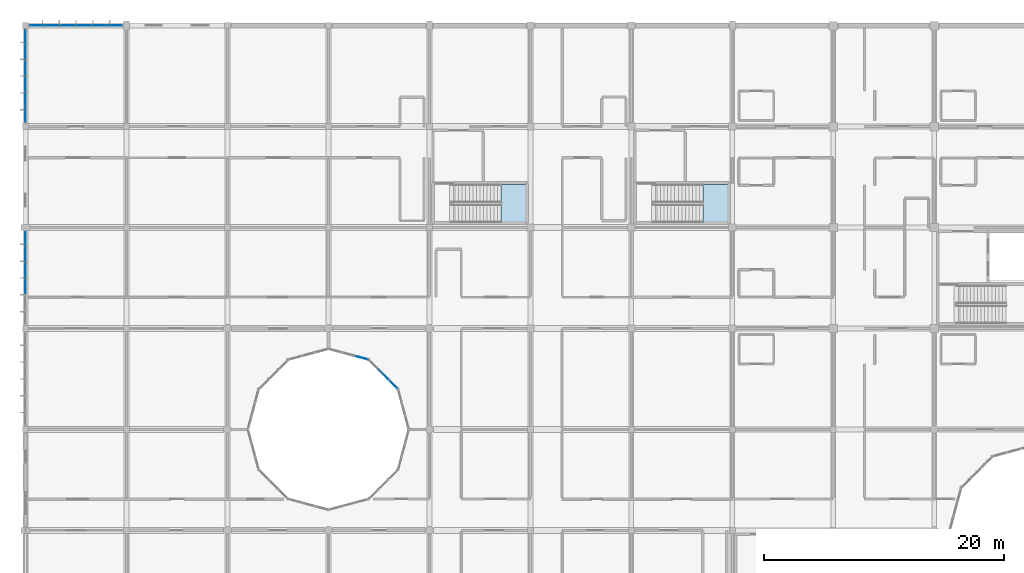
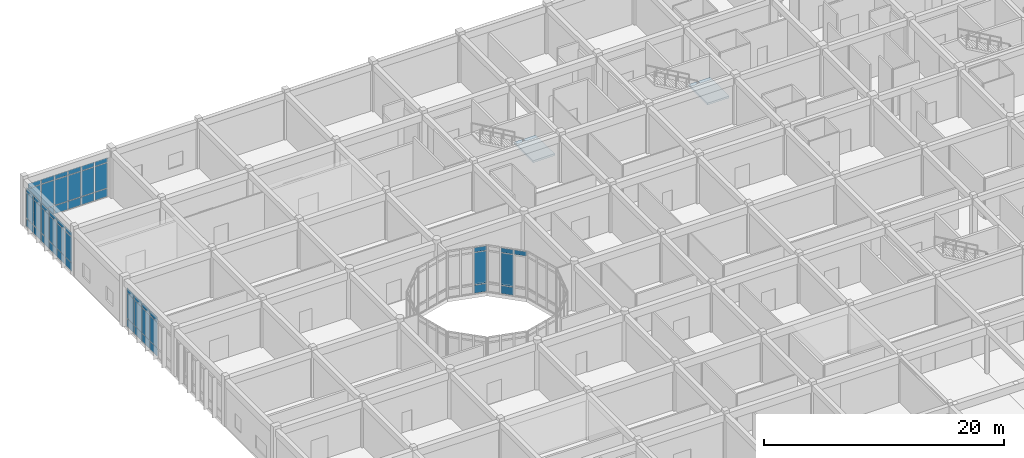
# One storey, part 76 of 134: 55 plates, 2 slabs, 7 elements without a shape of their own.
"""IFC4 building model written with IfcOpenShell, lengths in metres."""

from ifc_helpers import new_model, si_unit, direction, frame, origin, origin_2d, place, context, subcontext, project, spatial, polyline, rectangle, outline, extrude, material, layer, layer_set, type_object, element, aggregate, save


model = new_model("IFC4")

# Units and contexts
model_context = context("Model", 3, precision=1e-05, world=origin(), true_north=direction((0.0, 1.0)))
body_context = subcontext(model_context, "Body", "Model", "MODEL_VIEW")
ifc_project = project(units=[si_unit("LENGTHUNIT", "METRE"), si_unit("AREAUNIT", "SQUARE_METRE"), si_unit("VOLUMEUNIT", "CUBIC_METRE"), si_unit("PLANEANGLEUNIT", "RADIAN"), si_unit("MASSUNIT", "GRAM", prefix="KILO")], contexts=[model_context])

# Site, building, storey
site_placement = place(None, origin())
site = spatial("IfcSite", under=ifc_project, at=site_placement, CompositionType="ELEMENT")
building_placement = place(site_placement, origin())
building = spatial("IfcBuilding", under=site, at=building_placement, Name="Bramfleet General Hospital", CompositionType="ELEMENT")
storey_placement = place(building_placement, frame((0.0, 0.0, 9.300048828125)))
storey = spatial("IfcBuildingStorey", under=building, at=storey_placement, Name="L02", CompositionType="ELEMENT", Elevation=9.300048828125)

# Curtain wall, plates
ifc_material_1 = material(Name="Anodised aluminium and low-E triple glazing", Category="aluminium")
ifc_layer_1 = layer(ifc_material_1, 0.179931640625, Name="CWT-CW-07")
ifc_layer_set_1 = layer_set([ifc_layer_1], Name="Anodised aluminium and low-E triple glazing")
curtain_wall_type_1 = type_object("IfcCurtainWallType", Name="CWT-CW-07", PredefinedType="USERDEFINED", material=ifc_layer_set_1)
curtain_wall_1_placement = place(storey_placement, origin())
curtain_wall_1 = element("IfcCurtainWall", 1, at=curtain_wall_1_placement, inside=storey, type_object=curtain_wall_type_1, Name="L02 Curtain Wall 97", ObjectType="Unitised curtain wall", PredefinedType="USERDEFINED")
ifc_material_2 = material(Name="Low-E laminated safety glass", Category="glass")
ifc_layer_2 = layer(ifc_material_2, 0.028076171875, Name="CWP-GLZ-1")
ifc_layer_set_2 = layer_set([ifc_layer_2], Name="Low-E laminated safety glass")
plate_type_1 = type_object("IfcPlateType", Name="CWP-GLZ-1", PredefinedType="CURTAIN_PANEL", material=ifc_layer_set_2)
plate_1_placement = place(storey_placement, frame((0.0, 110.188232421875, 0.06494140625), z_axis=(0.0, 0.0, 1.0), x_axis=(0.0, 1.0, 0.0)))
plate_1 = element("IfcPlate", 2, at=plate_1_placement, type_object=plate_type_1, Name="CW-07 panel 1.1", PredefinedType="CURTAIN_PANEL", context=body_context, shape_type="SweptSolid", body=[
    extrude(rectangle(XDim=1.186767578125, YDim=0.028076171875, at=origin_2d()), origin(), (0.0, 0.0, 1.0), 0.802490234375),
])
plate_2_placement = place(storey_placement, frame((0.0, 110.188232421875, 0.9326171875), z_axis=(0.0, 0.0, 1.0), x_axis=(0.0, 1.0, 0.0)))
plate_2 = element("IfcPlate", 3, at=plate_2_placement, type_object=plate_type_1, Name="CW-07 panel 1.2", PredefinedType="CURTAIN_PANEL", context=body_context, shape_type="SweptSolid", body=[
    extrude(rectangle(XDim=1.186767578125, YDim=0.028076171875, at=origin_2d()), origin(), (0.0, 0.0, 1.0), 2.554931640625),
])
plate_3_placement = place(storey_placement, frame((0.0, 110.188232421875, 3.552734375), z_axis=(0.0, 0.0, 1.0), x_axis=(0.0, 1.0, 0.0)))
plate_3 = element("IfcPlate", 4, at=plate_3_placement, type_object=plate_type_1, Name="CW-07 panel 1.3", PredefinedType="CURTAIN_PANEL", context=body_context, shape_type="SweptSolid", body=[
    extrude(rectangle(XDim=1.186767578125, YDim=0.028076171875, at=origin_2d()), origin(), (0.0, 0.0, 1.0), 0.452392578125),
])
plate_4_placement = place(storey_placement, frame((0.0, 111.46240234375, 0.06494140625), z_axis=(0.0, 0.0, 1.0), x_axis=(0.0, 1.0, 0.0)))
plate_4 = element("IfcPlate", 5, at=plate_4_placement, type_object=plate_type_1, Name="CW-07 panel 2.1", PredefinedType="CURTAIN_PANEL", context=body_context, shape_type="SweptSolid", body=[
    extrude(rectangle(XDim=1.2216796875, YDim=0.028076171875, at=origin_2d()), origin(), (0.0, 0.0, 1.0), 0.802490234375),
])
plate_5_placement = place(storey_placement, frame((0.0, 111.46240234375, 0.9326171875), z_axis=(0.0, 0.0, 1.0), x_axis=(0.0, 1.0, 0.0)))
plate_5 = element("IfcPlate", 6, at=plate_5_placement, type_object=plate_type_1, Name="CW-07 panel 2.2", PredefinedType="CURTAIN_PANEL", context=body_context, shape_type="SweptSolid", body=[
    extrude(rectangle(XDim=1.2216796875, YDim=0.028076171875, at=origin_2d()), origin(), (0.0, 0.0, 1.0), 2.554931640625),
])
plate_6_placement = place(storey_placement, frame((0.0, 111.46240234375, 3.552734375), z_axis=(0.0, 0.0, 1.0), x_axis=(0.0, 1.0, 0.0)))
plate_6 = element("IfcPlate", 7, at=plate_6_placement, type_object=plate_type_1, Name="CW-07 panel 2.3", PredefinedType="CURTAIN_PANEL", context=body_context, shape_type="SweptSolid", body=[
    extrude(rectangle(XDim=1.2216796875, YDim=0.028076171875, at=origin_2d()), origin(), (0.0, 0.0, 1.0), 0.452392578125),
])
plate_7_placement = place(storey_placement, frame((0.0, 112.754150390625, 0.06494140625), z_axis=(0.0, 0.0, 1.0), x_axis=(0.0, 1.0, 0.0)))
plate_7 = element("IfcPlate", 8, at=plate_7_placement, type_object=plate_type_1, Name="CW-07 panel 3.1", PredefinedType="CURTAIN_PANEL", context=body_context, shape_type="SweptSolid", body=[
    extrude(rectangle(XDim=1.2216796875, YDim=0.028076171875, at=origin_2d()), origin(), (0.0, 0.0, 1.0), 0.802490234375),
])
plate_8_placement = place(storey_placement, frame((0.0, 112.754150390625, 0.9326171875), z_axis=(0.0, 0.0, 1.0), x_axis=(0.0, 1.0, 0.0)))
plate_8 = element("IfcPlate", 9, at=plate_8_placement, type_object=plate_type_1, Name="CW-07 panel 3.2", PredefinedType="CURTAIN_PANEL", context=body_context, shape_type="SweptSolid", body=[
    extrude(rectangle(XDim=1.2216796875, YDim=0.028076171875, at=origin_2d()), origin(), (0.0, 0.0, 1.0), 2.554931640625),
])
plate_9_placement = place(storey_placement, frame((0.0, 112.754150390625, 3.552734375), z_axis=(0.0, 0.0, 1.0), x_axis=(0.0, 1.0, 0.0)))
plate_9 = element("IfcPlate", 10, at=plate_9_placement, type_object=plate_type_1, Name="CW-07 panel 3.3", PredefinedType="CURTAIN_PANEL", context=body_context, shape_type="SweptSolid", body=[
    extrude(rectangle(XDim=1.2216796875, YDim=0.028076171875, at=origin_2d()), origin(), (0.0, 0.0, 1.0), 0.452392578125),
])
plate_10_placement = place(storey_placement, frame((0.0, 114.0458984375, 0.06494140625), z_axis=(0.0, 0.0, 1.0), x_axis=(0.0, 1.0, 0.0)))
plate_10 = element("IfcPlate", 11, at=plate_10_placement, type_object=plate_type_1, Name="CW-07 panel 4.1", PredefinedType="CURTAIN_PANEL", context=body_context, shape_type="SweptSolid", body=[
    extrude(rectangle(XDim=1.2216796875, YDim=0.028076171875, at=origin_2d()), origin(), (0.0, 0.0, 1.0), 0.802490234375),
])
plate_11_placement = place(storey_placement, frame((0.0, 114.0458984375, 0.9326171875), z_axis=(0.0, 0.0, 1.0), x_axis=(0.0, 1.0, 0.0)))
plate_11 = element("IfcPlate", 12, at=plate_11_placement, type_object=plate_type_1, Name="CW-07 panel 4.2", PredefinedType="CURTAIN_PANEL", context=body_context, shape_type="SweptSolid", body=[
    extrude(rectangle(XDim=1.2216796875, YDim=0.028076171875, at=origin_2d()), origin(), (0.0, 0.0, 1.0), 2.554931640625),
])
plate_12_placement = place(storey_placement, frame((0.0, 114.0458984375, 3.552734375), z_axis=(0.0, 0.0, 1.0), x_axis=(0.0, 1.0, 0.0)))
plate_12 = element("IfcPlate", 13, at=plate_12_placement, type_object=plate_type_1, Name="CW-07 panel 4.3", PredefinedType="CURTAIN_PANEL", context=body_context, shape_type="SweptSolid", body=[
    extrude(rectangle(XDim=1.2216796875, YDim=0.028076171875, at=origin_2d()), origin(), (0.0, 0.0, 1.0), 0.452392578125),
])
plate_13_placement = place(storey_placement, frame((0.0, 115.33740234375, 0.06494140625), z_axis=(0.0, 0.0, 1.0), x_axis=(0.0, 1.0, 0.0)))
plate_13 = element("IfcPlate", 14, at=plate_13_placement, type_object=plate_type_1, Name="CW-07 panel 5.1", PredefinedType="CURTAIN_PANEL", context=body_context, shape_type="SweptSolid", body=[
    extrude(rectangle(XDim=1.2216796875, YDim=0.028076171875, at=origin_2d()), origin(), (0.0, 0.0, 1.0), 0.802490234375),
])
plate_14_placement = place(storey_placement, frame((0.0, 115.33740234375, 0.9326171875), z_axis=(0.0, 0.0, 1.0), x_axis=(0.0, 1.0, 0.0)))
plate_14 = element("IfcPlate", 15, at=plate_14_placement, type_object=plate_type_1, Name="CW-07 panel 5.2", PredefinedType="CURTAIN_PANEL", context=body_context, shape_type="SweptSolid", body=[
    extrude(rectangle(XDim=1.2216796875, YDim=0.028076171875, at=origin_2d()), origin(), (0.0, 0.0, 1.0), 2.554931640625),
])
plate_15_placement = place(storey_placement, frame((0.0, 115.33740234375, 3.552734375), z_axis=(0.0, 0.0, 1.0), x_axis=(0.0, 1.0, 0.0)))
plate_15 = element("IfcPlate", 16, at=plate_15_placement, type_object=plate_type_1, Name="CW-07 panel 5.3", PredefinedType="CURTAIN_PANEL", context=body_context, shape_type="SweptSolid", body=[
    extrude(rectangle(XDim=1.2216796875, YDim=0.028076171875, at=origin_2d()), origin(), (0.0, 0.0, 1.0), 0.452392578125),
])
plate_16_placement = place(storey_placement, frame((0.0, 116.611572265625, 0.06494140625), z_axis=(0.0, 0.0, 1.0), x_axis=(0.0, 1.0, 0.0)))
plate_16 = element("IfcPlate", 17, at=plate_16_placement, type_object=plate_type_1, Name="CW-07 panel 6.1", PredefinedType="CURTAIN_PANEL", context=body_context, shape_type="SweptSolid", body=[
    extrude(rectangle(XDim=1.186767578125, YDim=0.028076171875, at=origin_2d()), origin(), (0.0, 0.0, 1.0), 0.802490234375),
])
plate_17_placement = place(storey_placement, frame((0.0, 116.611572265625, 0.9326171875), z_axis=(0.0, 0.0, 1.0), x_axis=(0.0, 1.0, 0.0)))
plate_17 = element("IfcPlate", 18, at=plate_17_placement, type_object=plate_type_1, Name="CW-07 panel 6.2", PredefinedType="CURTAIN_PANEL", context=body_context, shape_type="SweptSolid", body=[
    extrude(rectangle(XDim=1.186767578125, YDim=0.028076171875, at=origin_2d()), origin(), (0.0, 0.0, 1.0), 2.554931640625),
])
plate_18_placement = place(storey_placement, frame((0.0, 116.611572265625, 3.552734375), z_axis=(0.0, 0.0, 1.0), x_axis=(0.0, 1.0, 0.0)))
plate_18 = element("IfcPlate", 19, at=plate_18_placement, type_object=plate_type_1, Name="CW-07 panel 6.3", PredefinedType="CURTAIN_PANEL", context=body_context, shape_type="SweptSolid", body=[
    extrude(rectangle(XDim=1.186767578125, YDim=0.028076171875, at=origin_2d()), origin(), (0.0, 0.0, 1.0), 0.452392578125),
])
aggregate(curtain_wall_1, [plate_1, plate_2, plate_3, plate_4, plate_5, plate_6, plate_7, plate_8, plate_9, plate_10, plate_11, plate_12, plate_13, plate_14, plate_15, plate_16, plate_17, plate_18])

ifc_layer_3 = layer(ifc_material_1, 0.179931640625, Name="CWT-CW-08")
ifc_layer_set_3 = layer_set([ifc_layer_3], Name="Anodised aluminium and low-E triple glazing")
curtain_wall_type_2 = type_object("IfcCurtainWallType", Name="CWT-CW-08", PredefinedType="USERDEFINED", material=ifc_layer_set_3)
curtain_wall_2_placement = place(storey_placement, origin())
curtain_wall_2 = element("IfcCurtainWall", 20, at=curtain_wall_2_placement, inside=storey, type_object=curtain_wall_type_2, Name="L02 Curtain Wall 98", ObjectType="Unitised curtain wall", PredefinedType="USERDEFINED")
ifc_layer_4 = layer(ifc_material_2, 0.031982421875, Name="CWP-GLZ-2")
ifc_layer_set_4 = layer_set([ifc_layer_4], Name="Low-E laminated safety glass")
plate_type_2 = type_object("IfcPlateType", Name="CWP-GLZ-2", PredefinedType="CURTAIN_PANEL", material=ifc_layer_set_4)
plate_19_placement = place(storey_placement, frame((0.98828125, 117.60009765625, 0.06494140625), z_axis=(0.0, 0.0, 1.0), x_axis=(1.0, 0.0, 0.0)))
plate_19 = element("IfcPlate", 21, at=plate_19_placement, type_object=plate_type_2, Name="CW-08 panel 1.1", PredefinedType="CURTAIN_PANEL", context=body_context, shape_type="SweptSolid", body=[
    extrude(rectangle(XDim=1.186767578125, YDim=0.031982421875, at=origin_2d()), origin(), (0.0, 0.0, 1.0), 0.802490234375),
])
plate_20_placement = place(storey_placement, frame((0.98828125, 117.60009765625, 0.9326171875), z_axis=(0.0, 0.0, 1.0), x_axis=(1.0, 0.0, 0.0)))
plate_20 = element("IfcPlate", 22, at=plate_20_placement, type_object=plate_type_2, Name="CW-08 panel 1.2", PredefinedType="CURTAIN_PANEL", context=body_context, shape_type="SweptSolid", body=[
    extrude(rectangle(XDim=1.186767578125, YDim=0.031982421875, at=origin_2d()), origin(), (0.0, 0.0, 1.0), 2.554931640625),
])
plate_21_placement = place(storey_placement, frame((0.98828125, 117.60009765625, 3.552734375), z_axis=(0.0, 0.0, 1.0), x_axis=(1.0, 0.0, 0.0)))
plate_21 = element("IfcPlate", 23, at=plate_21_placement, type_object=plate_type_2, Name="CW-08 panel 1.3", PredefinedType="CURTAIN_PANEL", context=body_context, shape_type="SweptSolid", body=[
    extrude(rectangle(XDim=1.186767578125, YDim=0.031982421875, at=origin_2d()), origin(), (0.0, 0.0, 1.0), 0.452392578125),
])
plate_22_placement = place(storey_placement, frame((2.262451171875, 117.60009765625, 0.06494140625), z_axis=(0.0, 0.0, 1.0), x_axis=(1.0, 0.0, 0.0)))
plate_22 = element("IfcPlate", 24, at=plate_22_placement, type_object=plate_type_2, Name="CW-08 panel 2.1", PredefinedType="CURTAIN_PANEL", context=body_context, shape_type="SweptSolid", body=[
    extrude(rectangle(XDim=1.2216796875, YDim=0.031982421875, at=origin_2d()), origin(), (0.0, 0.0, 1.0), 0.802490234375),
])
plate_23_placement = place(storey_placement, frame((2.262451171875, 117.60009765625, 0.9326171875), z_axis=(0.0, 0.0, 1.0), x_axis=(1.0, 0.0, 0.0)))
plate_23 = element("IfcPlate", 25, at=plate_23_placement, type_object=plate_type_2, Name="CW-08 panel 2.2", PredefinedType="CURTAIN_PANEL", context=body_context, shape_type="SweptSolid", body=[
    extrude(rectangle(XDim=1.2216796875, YDim=0.031982421875, at=origin_2d()), origin(), (0.0, 0.0, 1.0), 2.554931640625),
])
plate_24_placement = place(storey_placement, frame((2.262451171875, 117.60009765625, 3.552734375), z_axis=(0.0, 0.0, 1.0), x_axis=(1.0, 0.0, 0.0)))
plate_24 = element("IfcPlate", 26, at=plate_24_placement, type_object=plate_type_2, Name="CW-08 panel 2.3", PredefinedType="CURTAIN_PANEL", context=body_context, shape_type="SweptSolid", body=[
    extrude(rectangle(XDim=1.2216796875, YDim=0.031982421875, at=origin_2d()), origin(), (0.0, 0.0, 1.0), 0.452392578125),
])
plate_25_placement = place(storey_placement, frame((3.55419921875, 117.60009765625, 0.06494140625), z_axis=(0.0, 0.0, 1.0), x_axis=(1.0, 0.0, 0.0)))
plate_25 = element("IfcPlate", 27, at=plate_25_placement, type_object=plate_type_2, Name="CW-08 panel 3.1", PredefinedType="CURTAIN_PANEL", context=body_context, shape_type="SweptSolid", body=[
    extrude(rectangle(XDim=1.2216796875, YDim=0.031982421875, at=origin_2d()), origin(), (0.0, 0.0, 1.0), 0.802490234375),
])
plate_26_placement = place(storey_placement, frame((3.55419921875, 117.60009765625, 0.9326171875), z_axis=(0.0, 0.0, 1.0), x_axis=(1.0, 0.0, 0.0)))
plate_26 = element("IfcPlate", 28, at=plate_26_placement, type_object=plate_type_2, Name="CW-08 panel 3.2", PredefinedType="CURTAIN_PANEL", context=body_context, shape_type="SweptSolid", body=[
    extrude(rectangle(XDim=1.2216796875, YDim=0.031982421875, at=origin_2d()), origin(), (0.0, 0.0, 1.0), 2.554931640625),
])
plate_27_placement = place(storey_placement, frame((3.55419921875, 117.60009765625, 3.552734375), z_axis=(0.0, 0.0, 1.0), x_axis=(1.0, 0.0, 0.0)))
plate_27 = element("IfcPlate", 29, at=plate_27_placement, type_object=plate_type_2, Name="CW-08 panel 3.3", PredefinedType="CURTAIN_PANEL", context=body_context, shape_type="SweptSolid", body=[
    extrude(rectangle(XDim=1.2216796875, YDim=0.031982421875, at=origin_2d()), origin(), (0.0, 0.0, 1.0), 0.452392578125),
])
plate_28_placement = place(storey_placement, frame((4.845947265625, 117.60009765625, 0.06494140625), z_axis=(0.0, 0.0, 1.0), x_axis=(1.0, 0.0, 0.0)))
plate_28 = element("IfcPlate", 30, at=plate_28_placement, type_object=plate_type_2, Name="CW-08 panel 4.1", PredefinedType="CURTAIN_PANEL", context=body_context, shape_type="SweptSolid", body=[
    extrude(rectangle(XDim=1.2216796875, YDim=0.031982421875, at=origin_2d()), origin(), (0.0, 0.0, 1.0), 0.802490234375),
])
plate_29_placement = place(storey_placement, frame((4.845947265625, 117.60009765625, 0.9326171875), z_axis=(0.0, 0.0, 1.0), x_axis=(1.0, 0.0, 0.0)))
plate_29 = element("IfcPlate", 31, at=plate_29_placement, type_object=plate_type_2, Name="CW-08 panel 4.2", PredefinedType="CURTAIN_PANEL", context=body_context, shape_type="SweptSolid", body=[
    extrude(rectangle(XDim=1.2216796875, YDim=0.031982421875, at=origin_2d()), origin(), (0.0, 0.0, 1.0), 2.554931640625),
])
plate_30_placement = place(storey_placement, frame((4.845947265625, 117.60009765625, 3.552734375), z_axis=(0.0, 0.0, 1.0), x_axis=(1.0, 0.0, 0.0)))
plate_30 = element("IfcPlate", 32, at=plate_30_placement, type_object=plate_type_2, Name="CW-08 panel 4.3", PredefinedType="CURTAIN_PANEL", context=body_context, shape_type="SweptSolid", body=[
    extrude(rectangle(XDim=1.2216796875, YDim=0.031982421875, at=origin_2d()), origin(), (0.0, 0.0, 1.0), 0.452392578125),
])
plate_31_placement = place(storey_placement, frame((6.137451171875, 117.60009765625, 0.06494140625), z_axis=(0.0, 0.0, 1.0), x_axis=(1.0, 0.0, 0.0)))
plate_31 = element("IfcPlate", 33, at=plate_31_placement, type_object=plate_type_2, Name="CW-08 panel 5.1", PredefinedType="CURTAIN_PANEL", context=body_context, shape_type="SweptSolid", body=[
    extrude(rectangle(XDim=1.2216796875, YDim=0.031982421875, at=origin_2d()), origin(), (0.0, 0.0, 1.0), 0.802490234375),
])
plate_32_placement = place(storey_placement, frame((6.137451171875, 117.60009765625, 0.9326171875), z_axis=(0.0, 0.0, 1.0), x_axis=(1.0, 0.0, 0.0)))
plate_32 = element("IfcPlate", 34, at=plate_32_placement, type_object=plate_type_2, Name="CW-08 panel 5.2", PredefinedType="CURTAIN_PANEL", context=body_context, shape_type="SweptSolid", body=[
    extrude(rectangle(XDim=1.2216796875, YDim=0.031982421875, at=origin_2d()), origin(), (0.0, 0.0, 1.0), 2.554931640625),
])
plate_33_placement = place(storey_placement, frame((6.137451171875, 117.60009765625, 3.552734375), z_axis=(0.0, 0.0, 1.0), x_axis=(1.0, 0.0, 0.0)))
plate_33 = element("IfcPlate", 35, at=plate_33_placement, type_object=plate_type_2, Name="CW-08 panel 5.3", PredefinedType="CURTAIN_PANEL", context=body_context, shape_type="SweptSolid", body=[
    extrude(rectangle(XDim=1.2216796875, YDim=0.031982421875, at=origin_2d()), origin(), (0.0, 0.0, 1.0), 0.452392578125),
])
plate_34_placement = place(storey_placement, frame((7.41162109375, 117.60009765625, 0.06494140625), z_axis=(0.0, 0.0, 1.0), x_axis=(1.0, 0.0, 0.0)))
plate_34 = element("IfcPlate", 36, at=plate_34_placement, type_object=plate_type_2, Name="CW-08 panel 6.1", PredefinedType="CURTAIN_PANEL", context=body_context, shape_type="SweptSolid", body=[
    extrude(rectangle(XDim=1.186767578125, YDim=0.031982421875, at=origin_2d()), origin(), (0.0, 0.0, 1.0), 0.802490234375),
])
plate_35_placement = place(storey_placement, frame((7.41162109375, 117.60009765625, 0.9326171875), z_axis=(0.0, 0.0, 1.0), x_axis=(1.0, 0.0, 0.0)))
plate_35 = element("IfcPlate", 37, at=plate_35_placement, type_object=plate_type_2, Name="CW-08 panel 6.2", PredefinedType="CURTAIN_PANEL", context=body_context, shape_type="SweptSolid", body=[
    extrude(rectangle(XDim=1.186767578125, YDim=0.031982421875, at=origin_2d()), origin(), (0.0, 0.0, 1.0), 2.554931640625),
])
plate_36_placement = place(storey_placement, frame((7.41162109375, 117.60009765625, 3.552734375), z_axis=(0.0, 0.0, 1.0), x_axis=(1.0, 0.0, 0.0)))
plate_36 = element("IfcPlate", 38, at=plate_36_placement, type_object=plate_type_2, Name="CW-08 panel 6.3", PredefinedType="CURTAIN_PANEL", context=body_context, shape_type="SweptSolid", body=[
    extrude(rectangle(XDim=1.186767578125, YDim=0.031982421875, at=origin_2d()), origin(), (0.0, 0.0, 1.0), 0.452392578125),
])
aggregate(curtain_wall_2, [plate_19, plate_20, plate_21, plate_22, plate_23, plate_24, plate_25, plate_26, plate_27, plate_28, plate_29, plate_30, plate_31, plate_32, plate_33, plate_34, plate_35, plate_36])

ifc_layer_5 = layer(ifc_material_1, 0.179931640625, Name="CWT-CW-12")
ifc_layer_set_5 = layer_set([ifc_layer_5], Name="Anodised aluminium and low-E triple glazing")
curtain_wall_type_3 = type_object("IfcCurtainWallType", Name="CWT-CW-12", PredefinedType="USERDEFINED", material=ifc_layer_set_5)
curtain_wall_3_placement = place(storey_placement, origin())
curtain_wall_3 = element("IfcCurtainWall", 39, at=curtain_wall_3_placement, inside=storey, type_object=curtain_wall_type_3, Name="L02 West Clinical Light Court Curtain Wall 8.1", ObjectType="Stick curtain wall", PredefinedType="USERDEFINED")
plate_37_placement = place(storey_placement, frame((30.5810546875, 87.77099609375, 4.25244140625), z_axis=(0.0, 0.0, 1.0), x_axis=(-0.707106781187, 0.707106781187, 0.0)))
plate_37 = element("IfcPlate", 40, at=plate_37_placement, type_object=plate_type_2, Name="CW-12 panel 1.3", PredefinedType="CURTAIN_PANEL", context=body_context, shape_type="SweptSolid", body=[
    extrude(rectangle(XDim=1.05078125, YDim=0.031982421875, at=origin_2d()), origin(), (0.0, 0.0, 1.0), 0.452392578125),
])
plate_38_placement = place(storey_placement, frame((29.77587890625, 88.575927734375, 0.06494140625), z_axis=(0.0, 0.0, 1.0), x_axis=(-0.707106781187, 0.707106781187, 0.0)))
plate_38 = element("IfcPlate", 41, at=plate_38_placement, type_object=plate_type_2, Name="CW-12 panel 2.1", PredefinedType="CURTAIN_PANEL", context=body_context, shape_type="SweptSolid", body=[
    extrude(rectangle(XDim=1.0859375, YDim=0.031982421875, at=origin_2d()), origin(), (0.0, 0.0, 1.0), 0.802490234375),
])
plate_39_placement = place(storey_placement, frame((29.77587890625, 88.575927734375, 0.9326171875), z_axis=(0.0, 0.0, 1.0), x_axis=(-0.707106781187, 0.707106781187, 0.0)))
plate_39 = element("IfcPlate", 42, at=plate_39_placement, type_object=plate_type_2, Name="CW-12 panel 2.2", PredefinedType="CURTAIN_PANEL", context=body_context, shape_type="SweptSolid", body=[
    extrude(rectangle(XDim=1.0859375, YDim=0.031982421875, at=origin_2d()), origin(), (0.0, 0.0, 1.0), 3.2548828125),
])
plate_40_placement = place(storey_placement, frame((29.77587890625, 88.575927734375, 4.25244140625), z_axis=(0.0, 0.0, 1.0), x_axis=(-0.707106781187, 0.707106781187, 0.0)))
plate_40 = element("IfcPlate", 43, at=plate_40_placement, type_object=plate_type_2, Name="CW-12 panel 2.3", PredefinedType="CURTAIN_PANEL", context=body_context, shape_type="SweptSolid", body=[
    extrude(rectangle(XDim=1.0859375, YDim=0.031982421875, at=origin_2d()), origin(), (0.0, 0.0, 1.0), 0.452392578125),
])
aggregate(curtain_wall_3, [plate_37, plate_38, plate_39, plate_40])

ifc_layer_6 = layer(ifc_material_1, 0.179931640625, Name="CWT-CW-13")
ifc_layer_set_6 = layer_set([ifc_layer_6], Name="Anodised aluminium and low-E triple glazing")
curtain_wall_type_4 = type_object("IfcCurtainWallType", Name="CWT-CW-13", PredefinedType="USERDEFINED", material=ifc_layer_set_6)
curtain_wall_4_placement = place(storey_placement, origin())
curtain_wall_4 = element("IfcCurtainWall", 44, at=curtain_wall_4_placement, inside=storey, type_object=curtain_wall_type_4, Name="L02 West Clinical Light Court Curtain Wall 9.1", ObjectType="Stick curtain wall", PredefinedType="USERDEFINED")
plate_41_placement = place(storey_placement, frame((27.974853515625, 89.956298828125, 0.06494140625), z_axis=(0.0, 0.0, 1.0), x_axis=(-0.965899136003, 0.25891863407, 0.0)))
plate_41 = element("IfcPlate", 45, at=plate_41_placement, type_object=plate_type_2, Name="CW-13 panel 1.1", PredefinedType="CURTAIN_PANEL", context=body_context, shape_type="SweptSolid", body=[
    extrude(rectangle(XDim=1.051025390625, YDim=0.031982421875, at=origin_2d()), origin(), (0.0, 0.0, 1.0), 0.802490234375),
])
plate_42_placement = place(storey_placement, frame((27.974853515625, 89.956298828125, 0.9326171875), z_axis=(0.0, 0.0, 1.0), x_axis=(-0.965899136003, 0.25891863407, 0.0)))
plate_42 = element("IfcPlate", 46, at=plate_42_placement, type_object=plate_type_2, Name="CW-13 panel 1.2", PredefinedType="CURTAIN_PANEL", context=body_context, shape_type="SweptSolid", body=[
    extrude(rectangle(XDim=1.051025390625, YDim=0.031982421875, at=origin_2d()), origin(), (0.0, 0.0, 1.0), 3.2548828125),
])
plate_43_placement = place(storey_placement, frame((27.974853515625, 89.956298828125, 4.25244140625), z_axis=(0.0, 0.0, 1.0), x_axis=(-0.965899136003, 0.25891863407, 0.0)))
plate_43 = element("IfcPlate", 47, at=plate_43_placement, type_object=plate_type_2, Name="CW-13 panel 1.3", PredefinedType="CURTAIN_PANEL", context=body_context, shape_type="SweptSolid", body=[
    extrude(rectangle(XDim=1.051025390625, YDim=0.031982421875, at=origin_2d()), origin(), (0.0, 0.0, 1.0), 0.452392578125),
])
aggregate(curtain_wall_4, [plate_41, plate_42, plate_43])

ifc_layer_7 = layer(ifc_material_1, 0.179931640625, Name="CWT-CW-06")
ifc_layer_set_7 = layer_set([ifc_layer_7], Name="Anodised aluminium and low-E triple glazing")
curtain_wall_type_5 = type_object("IfcCurtainWallType", Name="CWT-CW-06", PredefinedType="USERDEFINED", material=ifc_layer_set_7)
curtain_wall_5_placement = place(storey_placement, origin())
curtain_wall_5 = element("IfcCurtainWall", 48, at=curtain_wall_5_placement, inside=storey, type_object=curtain_wall_type_5, Name="L02 Curtain Wall 96", ObjectType="Unitised curtain wall", PredefinedType="USERDEFINED")
ifc_layer_8 = layer(ifc_material_2, 0.0419921875, Name="CWP-GLZ-4")
ifc_layer_set_8 = layer_set([ifc_layer_8], Name="Low-E laminated safety glass")
plate_type_3 = type_object("IfcPlateType", Name="CWP-GLZ-4", PredefinedType="CURTAIN_PANEL", material=ifc_layer_set_8)
plate_44_placement = place(storey_placement, frame((0.0, 95.9541015625, 0.06494140625), z_axis=(0.0, 0.0, 1.0), x_axis=(0.0, 1.0, 0.0)))
plate_44 = element("IfcPlate", 49, at=plate_44_placement, type_object=plate_type_3, Name="CW-06 panel 3.1", PredefinedType="CURTAIN_PANEL", context=body_context, shape_type="SweptSolid", body=[
    extrude(rectangle(XDim=1.2216796875, YDim=0.0419921875, at=origin_2d()), origin(), (0.0, 0.0, 1.0), 0.802490234375),
])
plate_45_placement = place(storey_placement, frame((0.0, 95.9541015625, 0.9326171875), z_axis=(0.0, 0.0, 1.0), x_axis=(0.0, 1.0, 0.0)))
plate_45 = element("IfcPlate", 50, at=plate_45_placement, type_object=plate_type_3, Name="CW-06 panel 3.2", PredefinedType="CURTAIN_PANEL", context=body_context, shape_type="SweptSolid", body=[
    extrude(rectangle(XDim=1.2216796875, YDim=0.0419921875, at=origin_2d()), origin(), (0.0, 0.0, 1.0), 2.554931640625),
])
plate_46_placement = place(storey_placement, frame((0.0, 95.9541015625, 3.552734375), z_axis=(0.0, 0.0, 1.0), x_axis=(0.0, 1.0, 0.0)))
plate_46 = element("IfcPlate", 51, at=plate_46_placement, type_object=plate_type_3, Name="CW-06 panel 3.3", PredefinedType="CURTAIN_PANEL", context=body_context, shape_type="SweptSolid", body=[
    extrude(rectangle(XDim=1.2216796875, YDim=0.0419921875, at=origin_2d()), origin(), (0.0, 0.0, 1.0), 0.452392578125),
])
plate_47_placement = place(storey_placement, frame((0.0, 97.245849609375, 0.06494140625), z_axis=(0.0, 0.0, 1.0), x_axis=(0.0, 1.0, 0.0)))
plate_47 = element("IfcPlate", 52, at=plate_47_placement, type_object=plate_type_3, Name="CW-06 panel 4.1", PredefinedType="CURTAIN_PANEL", context=body_context, shape_type="SweptSolid", body=[
    extrude(rectangle(XDim=1.2216796875, YDim=0.0419921875, at=origin_2d()), origin(), (0.0, 0.0, 1.0), 0.802490234375),
])
plate_48_placement = place(storey_placement, frame((0.0, 97.245849609375, 0.9326171875), z_axis=(0.0, 0.0, 1.0), x_axis=(0.0, 1.0, 0.0)))
plate_48 = element("IfcPlate", 53, at=plate_48_placement, type_object=plate_type_3, Name="CW-06 panel 4.2", PredefinedType="CURTAIN_PANEL", context=body_context, shape_type="SweptSolid", body=[
    extrude(rectangle(XDim=1.2216796875, YDim=0.0419921875, at=origin_2d()), origin(), (0.0, 0.0, 1.0), 2.554931640625),
])
plate_49_placement = place(storey_placement, frame((0.0, 97.245849609375, 3.552734375), z_axis=(0.0, 0.0, 1.0), x_axis=(0.0, 1.0, 0.0)))
plate_49 = element("IfcPlate", 54, at=plate_49_placement, type_object=plate_type_3, Name="CW-06 panel 4.3", PredefinedType="CURTAIN_PANEL", context=body_context, shape_type="SweptSolid", body=[
    extrude(rectangle(XDim=1.2216796875, YDim=0.0419921875, at=origin_2d()), origin(), (0.0, 0.0, 1.0), 0.452392578125),
])
plate_50_placement = place(storey_placement, frame((0.0, 98.53759765625, 0.06494140625), z_axis=(0.0, 0.0, 1.0), x_axis=(0.0, 1.0, 0.0)))
plate_50 = element("IfcPlate", 55, at=plate_50_placement, type_object=plate_type_3, Name="CW-06 panel 5.1", PredefinedType="CURTAIN_PANEL", context=body_context, shape_type="SweptSolid", body=[
    extrude(rectangle(XDim=1.2216796875, YDim=0.0419921875, at=origin_2d()), origin(), (0.0, 0.0, 1.0), 0.802490234375),
])
plate_51_placement = place(storey_placement, frame((0.0, 98.53759765625, 0.9326171875), z_axis=(0.0, 0.0, 1.0), x_axis=(0.0, 1.0, 0.0)))
plate_51 = element("IfcPlate", 56, at=plate_51_placement, type_object=plate_type_3, Name="CW-06 panel 5.2", PredefinedType="CURTAIN_PANEL", context=body_context, shape_type="SweptSolid", body=[
    extrude(rectangle(XDim=1.2216796875, YDim=0.0419921875, at=origin_2d()), origin(), (0.0, 0.0, 1.0), 2.554931640625),
])
plate_52_placement = place(storey_placement, frame((0.0, 98.53759765625, 3.552734375), z_axis=(0.0, 0.0, 1.0), x_axis=(0.0, 1.0, 0.0)))
plate_52 = element("IfcPlate", 57, at=plate_52_placement, type_object=plate_type_3, Name="CW-06 panel 5.3", PredefinedType="CURTAIN_PANEL", context=body_context, shape_type="SweptSolid", body=[
    extrude(rectangle(XDim=1.2216796875, YDim=0.0419921875, at=origin_2d()), origin(), (0.0, 0.0, 1.0), 0.452392578125),
])
plate_53_placement = place(storey_placement, frame((0.0, 99.811767578125, 0.06494140625), z_axis=(0.0, 0.0, 1.0), x_axis=(0.0, 1.0, 0.0)))
plate_53 = element("IfcPlate", 58, at=plate_53_placement, type_object=plate_type_3, Name="CW-06 panel 6.1", PredefinedType="CURTAIN_PANEL", context=body_context, shape_type="SweptSolid", body=[
    extrude(rectangle(XDim=1.186767578125, YDim=0.0419921875, at=origin_2d()), origin(), (0.0, 0.0, 1.0), 0.802490234375),
])
plate_54_placement = place(storey_placement, frame((0.0, 99.811767578125, 0.9326171875), z_axis=(0.0, 0.0, 1.0), x_axis=(0.0, 1.0, 0.0)))
plate_54 = element("IfcPlate", 59, at=plate_54_placement, type_object=plate_type_3, Name="CW-06 panel 6.2", PredefinedType="CURTAIN_PANEL", context=body_context, shape_type="SweptSolid", body=[
    extrude(rectangle(XDim=1.186767578125, YDim=0.0419921875, at=origin_2d()), origin(), (0.0, 0.0, 1.0), 2.554931640625),
])
plate_55_placement = place(storey_placement, frame((0.0, 99.811767578125, 3.552734375), z_axis=(0.0, 0.0, 1.0), x_axis=(0.0, 1.0, 0.0)))
plate_55 = element("IfcPlate", 60, at=plate_55_placement, type_object=plate_type_3, Name="CW-06 panel 6.3", PredefinedType="CURTAIN_PANEL", context=body_context, shape_type="SweptSolid", body=[
    extrude(rectangle(XDim=1.186767578125, YDim=0.0419921875, at=origin_2d()), origin(), (0.0, 0.0, 1.0), 0.452392578125),
])
aggregate(curtain_wall_5, [plate_44, plate_45, plate_46, plate_47, plate_48, plate_49, plate_50, plate_51, plate_52, plate_53, plate_54, plate_55])

# Stair, slab
ifc_material_3 = material(Name="Concrete C35/45", Category="concrete")
stair_type = type_object("IfcStairType", Name="STR-T1", PredefinedType="HALF_TURN_STAIR", material=ifc_material_3)
stair_1_placement = place(storey_placement, origin())
stair_1 = element("IfcStair", 61, at=stair_1_placement, inside=storey, type_object=stair_type, Name="L02 Core C8 (North-West Surgical Escape) Protected Escape Stair", PredefinedType="HALF_TURN_STAIR")
ifc_layer_9 = layer(ifc_material_3, 0.199951171875, Name="SL-LND-200")
ifc_layer_set_9 = layer_set([ifc_layer_9], Name="Concrete C35/45")
slab_type = type_object("IfcSlabType", Name="SL-LND-200", PredefinedType="LANDING", material=ifc_layer_set_9)
slab_1_placement = place(storey_placement, frame((0.0, 0.0, 2.349853515625)))
slab_1 = element("IfcSlab", 62, at=slab_1_placement, type_object=slab_type, Name="ST-C8 landing 1", PredefinedType="LANDING", context=body_context, shape_type="SweptSolid", body=[
    extrude(outline(polyline([(39.570068359375, 101.219970703125), (41.659912109375, 101.219970703125), (41.659912109375, 104.3798828125), (39.570068359375, 104.3798828125), (39.570068359375, 101.219970703125)])), origin(), (0.0, 0.0, 1.0), 0.2001953125),
])
aggregate(stair_1, [slab_1])

stair_2_placement = place(storey_placement, origin())
stair_2 = element("IfcStair", 63, at=stair_2_placement, inside=storey, type_object=stair_type, Name="L02 Core C14 (West Ward Wing Escape) Protected Escape Stair", PredefinedType="HALF_TURN_STAIR")
slab_2_placement = place(storey_placement, frame((0.0, 0.0, 2.349853515625)))
slab_2 = element("IfcSlab", 64, at=slab_2_placement, type_object=slab_type, Name="ST-C14 landing 1", PredefinedType="LANDING", context=body_context, shape_type="SweptSolid", body=[
    extrude(outline(polyline([(56.3701171875, 101.219970703125), (58.4599609375, 101.219970703125), (58.4599609375, 104.3798828125), (56.3701171875, 104.3798828125), (56.3701171875, 101.219970703125)])), origin(), (0.0, 0.0, 1.0), 0.2001953125),
])
aggregate(stair_2, [slab_2])

save(model, "model.ifc")
